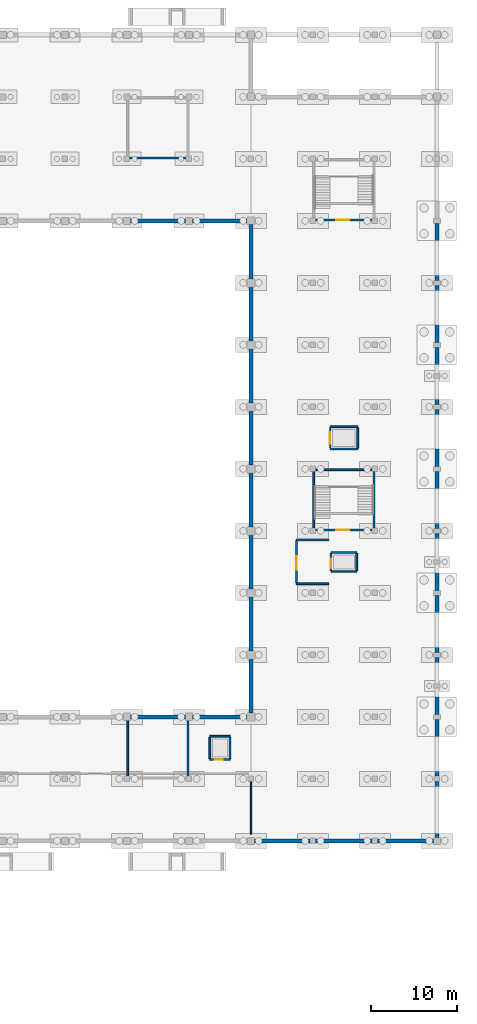
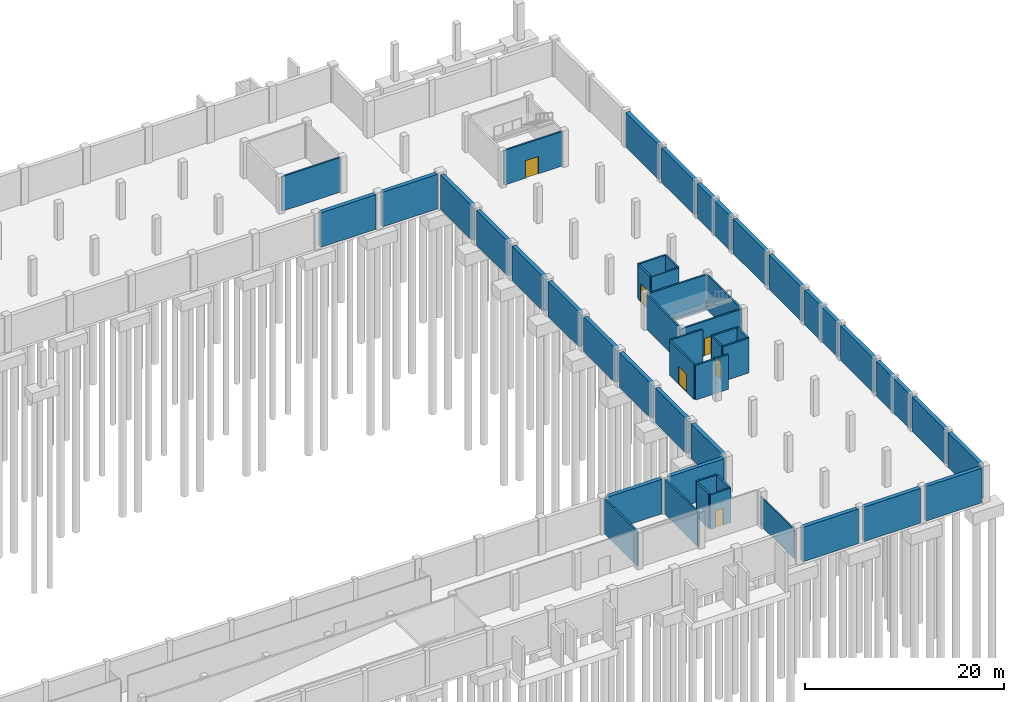
# One storey, part 14 of 18: 49 walls, 6 doors, 6 openings.
"""IFC4 building model written with IfcOpenShell, lengths in metres."""

import ifcopenshell
import ifcopenshell.guid

model = None  # the IFC model being written
_history = None  # IfcOwnerHistory: only IFC2X3 demands one
_inside = {}  # id of a spatial element -> (the spatial element, [elements in it])
_under = {}  # id of a project, library or spatial element -> (it, [spatial elements below it])
_declared = {}  # id of a project -> (the project, [libraries it declares])
_typed = {}  # id of a type object -> (the type object, [elements of that type])
_made_of = {}  # id of a material, layer set ... -> (it, [elements and type objects made of it])


def new_model(schema):
    """Start an empty IFC model of exactly this schema.

    Asked for "IFC4X3", IfcOpenShell would pick the latest addendum, in which some entities
    have other attributes; the version numbers below select the first issue.
    IFC2X3 requires an IfcOwnerHistory on every rooted entity: one is made here for all.
    """
    global model, _history
    if schema == "IFC4X3":
        model = ifcopenshell.file(schema_version=(4, 3, 0, 0))
    else:
        model = ifcopenshell.file(schema=schema)
    _inside.clear()
    _under.clear()
    _declared.clear()
    _typed.clear()
    _made_of.clear()
    _history = None
    if model.schema == "IFC2X3":
        org = make("IfcOrganization", Name="unknown")
        user = make(
            "IfcPersonAndOrganization",
            ThePerson=make("IfcPerson", FamilyName="unknown"),
            TheOrganization=org,
        )
        app = make(
            "IfcApplication",
            ApplicationDeveloper=org,
            Version="unknown",
            ApplicationFullName="unknown",
            ApplicationIdentifier="unknown",
        )
        _history = make(
            "IfcOwnerHistory",
            OwningUser=user,
            OwningApplication=app,
            ChangeAction="ADDED",
            CreationDate=0,
        )
    return model


def make(cls, **values):
    """One entity of the class cls with the attributes given. An attribute that is None is left unset."""
    return model.create_entity(
        cls, **{name: value for name, value in values.items() if value is not None}
    )


def rooted(cls, **values):
    """An entity with a GlobalId (a new one), such as an element, a storey or a relation."""
    return make(cls, GlobalId=ifcopenshell.guid.new(), OwnerHistory=_history, **values)


def si_unit(unit_type, name, prefix=None):
    """IfcSIUnit, for example si_unit("LENGTHUNIT", "METRE", prefix="MILLI")."""
    return make("IfcSIUnit", UnitType=unit_type, Prefix=prefix, Name=name)


def assignment(units):
    """IfcUnitAssignment: the units of a project."""
    return None if units is None else make("IfcUnitAssignment", Units=units)


def point(xyz):
    """IfcCartesianPoint."""
    return None if xyz is None else make("IfcCartesianPoint", Coordinates=xyz)


def direction(xyz):
    """IfcDirection."""
    return None if xyz is None else make("IfcDirection", DirectionRatios=xyz)


def frame(location, z_axis=None, x_axis=None):
    """IfcAxis2Placement3D, a coordinate frame: its origin and axes. An axis left out is left unset."""
    return make(
        "IfcAxis2Placement3D",
        Location=point(location),
        Axis=direction(z_axis),
        RefDirection=direction(x_axis),
    )


def frame_2d(location, x_axis=None):
    """IfcAxis2Placement2D, a coordinate frame in the plane: its origin and x axis."""
    return make(
        "IfcAxis2Placement2D", Location=point(location), RefDirection=direction(x_axis)
    )


def origin():
    """The frame at (0, 0, 0) with its axes left unset."""
    return frame((0.0, 0.0, 0.0))


def place(relative_to, where):
    """IfcLocalPlacement: puts the frame where relative to a parent placement (None: the world)."""
    return make(
        "IfcLocalPlacement", PlacementRelTo=relative_to, RelativePlacement=where
    )


def context(
    kind, dimensions, precision=None, world=None, true_north=None, identifier=None
):
    """IfcGeometricRepresentationContext, for example the 3D "Model" context."""
    return make(
        "IfcGeometricRepresentationContext",
        ContextIdentifier=identifier,
        ContextType=kind,
        CoordinateSpaceDimension=dimensions,
        Precision=precision,
        WorldCoordinateSystem=world,
        TrueNorth=true_north,
    )


def subcontext(parent, identifier, kind, view, scale=None):
    """IfcGeometricRepresentationSubContext, for example "Body" below "Model"."""
    return make(
        "IfcGeometricRepresentationSubContext",
        ContextIdentifier=identifier,
        ContextType=kind,
        ParentContext=parent,
        TargetScale=scale,
        TargetView=view,
    )


def project(units=None, contexts=None):
    """IfcProject with its units and contexts."""
    return rooted(
        "IfcProject",
        Name="project",
        RepresentationContexts=contexts,
        UnitsInContext=assignment(units),
    )


def spatial(cls, under=None, at=None, **own):
    """A site, building, storey or space (cls), placed at a placement, below another one or the project."""
    s = rooted(cls, ObjectPlacement=at, **own)
    if under is not None:
        _under.setdefault(under.id(), (under, []))[1].append(s)
    return s


def profile(cls, at=None, kind="AREA", **sizes):
    """A parametric profile (cls). Its sizes go by their IFC names, for example OverallWidth=200.0."""
    return make(cls, ProfileType=kind, Position=at, **sizes)


def rectangle(**sizes):
    """IfcRectangleProfileDef."""
    return profile("IfcRectangleProfileDef", **sizes)


def extrude(swept, where, along, depth):
    """IfcExtrudedAreaSolid: the profile swept, set in the frame where, extruded along a direction by depth."""
    return make(
        "IfcExtrudedAreaSolid",
        SweptArea=swept,
        Position=where,
        ExtrudedDirection=direction(along),
        Depth=depth,
    )


def shape(context_of_items, identifier, shape_type, items):
    """IfcShapeRepresentation: the items that make up one representation, for example the "Body"."""
    return make(
        "IfcShapeRepresentation",
        ContextOfItems=context_of_items,
        RepresentationIdentifier=identifier,
        RepresentationType=shape_type,
        Items=items,
    )


def material(Name=None, Category=None):
    """IfcMaterial."""
    return make("IfcMaterial", Name=Name, Category=Category)


def layer(
    of_material, thickness, ventilated=None, Name=None, Category=None, Priority=None
):
    """IfcMaterialLayer: one layer of a wall or slab, of a material (None: an air gap)."""
    return make(
        "IfcMaterialLayer",
        Material=of_material,
        LayerThickness=thickness,
        IsVentilated=ventilated,
        Name=Name,
        Category=Category,
        Priority=Priority,
    )


def layer_set(layers, Name=None):
    """IfcMaterialLayerSet."""
    return make("IfcMaterialLayerSet", MaterialLayers=layers, LayerSetName=Name)


def made_of(thing, what):
    """Note that an element or type object is made of a material, layer set ...; save() writes the relation."""
    if what is not None:
        _made_of.setdefault(what.id(), (what, []))[1].append(thing)
    return thing


def type_object(cls, material=None, **own):
    """A type object (cls), such as IfcWallType, which elements share."""
    return made_of(rooted(cls, **own), material)


def element(
    cls,
    number,
    at=None,
    inside=None,
    cuts=None,
    type_object=None,
    material=None,
    context=None,
    identifier="Body",
    shape_type=None,
    held_by="IfcProductDefinitionShape",
    body=None,
    shapes=None,
    **own,
):
    """One element of the class cls, such as IfcWall. Its Tag is "e" and its number.

    at: its placement. inside: the storey or other place that contains it. cuts: it is an
    opening in that element (IfcRelVoidsElement). A single representation is given by context,
    identifier, shape_type and body (its items); several are given by shapes. held_by: the class
    of the entity that holds the representations. save() writes the other relations.
    """
    e = rooted(cls, Tag="e%d" % number, ObjectPlacement=at, **own)
    if body is not None:
        shapes = [shape(context, identifier, shape_type, body)]
    if shapes is not None:
        e.Representation = make(held_by, Representations=shapes)
    if inside is not None:
        _inside.setdefault(inside.id(), (inside, []))[1].append(e)
    if cuts is not None:
        rooted(
            "IfcRelVoidsElement", RelatingBuildingElement=cuts, RelatedOpeningElement=e
        )
    if type_object is not None:
        _typed.setdefault(type_object.id(), (type_object, []))[1].append(e)
    return made_of(e, material)


def fill(opening, filler):
    """IfcRelFillsElement: the door or window that sits in an opening."""
    return rooted(
        "IfcRelFillsElement",
        RelatingOpeningElement=opening,
        RelatedBuildingElement=filler,
    )


def aggregate(whole, parts):
    """IfcRelAggregates: a whole, such as a stair, and the parts it consists of."""
    return rooted("IfcRelAggregates", RelatingObject=whole, RelatedObjects=parts)


def save(model, path):
    """Write the relations noted so far, then the file.

    IfcRelAggregates (storeys below a building ...), IfcRelContainedInSpatialStructure (elements
    in a storey), IfcRelDefinesByType, IfcRelAssociatesMaterial and IfcRelDeclares: one each for
    every whole, place, type object, material and project.
    """
    for whole, parts in _under.values():
        aggregate(whole, parts)
    for where, things in _inside.values():
        rooted(
            "IfcRelContainedInSpatialStructure",
            RelatedElements=things,
            RelatingStructure=where,
        )
    for kind, things in _typed.values():
        rooted("IfcRelDefinesByType", RelatedObjects=things, RelatingType=kind)
    for what, things in _made_of.values():
        rooted("IfcRelAssociatesMaterial", RelatedObjects=things, RelatingMaterial=what)
    for by, libraries in _declared.values():
        rooted("IfcRelDeclares", RelatingContext=by, RelatedDefinitions=libraries)
    model.write(path)


model = new_model("IFC4")

# Units and contexts
model_context = context("Model", 3, precision=1e-05, world=origin(), true_north=direction((0.0, 1.0)))
body_context = subcontext(model_context, "Body", "Model", "MODEL_VIEW")
ifc_project = project(units=[si_unit("LENGTHUNIT", "METRE"), si_unit("AREAUNIT", "SQUARE_METRE"), si_unit("VOLUMEUNIT", "CUBIC_METRE"), si_unit("PLANEANGLEUNIT", "RADIAN"), si_unit("MASSUNIT", "GRAM", prefix="KILO")], contexts=[model_context])

# Site, building, storey
site_placement = place(None, origin())
site = spatial("IfcSite", under=ifc_project, at=site_placement, CompositionType="ELEMENT")
building_placement = place(site_placement, origin())
building = spatial("IfcBuilding", under=site, at=building_placement, Name="Kangsadwip Square Police Headquarters", CompositionType="ELEMENT")
storey_placement = place(building_placement, frame((0.0, 0.0, -4.5)))
storey = spatial("IfcBuildingStorey", under=building, at=storey_placement, Name="B1", CompositionType="ELEMENT", Elevation=-4.5)

# Walls
ifc_material_1 = material(Name="Concrete M40 (40 MPa)", Category="concrete")
ifc_layer_1 = layer(ifc_material_1, 0.449951171875)
ifc_layer_set_1 = layer_set([ifc_layer_1], Name="Concrete M40 (40 MPa)")
wall_type_1 = type_object("IfcWallType", Name="BasementRetainingWall450", PredefinedType="USERDEFINED", material=ifc_layer_set_1)
wall_1_placement = place(storey_placement, frame((144.419921875, 21.60009765625, 0.0), z_axis=(0.0, 0.0, 1.0), x_axis=(1.0, 0.0, 0.0)))
element("IfcWall", 1, at=wall_1_placement, inside=storey, type_object=wall_type_1, Name="Exterior Wall WE-B1-021", ObjectType="RETAININGWALL", PredefinedType="USERDEFINED", context=body_context, shape_type="SweptSolid", body=[
    extrude(rectangle(XDim=6.4599609375, YDim=0.449951171875, at=frame_2d((3.22998046875, 0.0))), origin(), (0.0, 0.0, 1.0), 4.25),
])
wall_2_placement = place(storey_placement, frame((151.52001953125, 21.60009765625, 0.0), z_axis=(0.0, 0.0, 1.0), x_axis=(1.0, 0.0, 0.0)))
element("IfcWall", 2, at=wall_2_placement, inside=storey, type_object=wall_type_1, Name="Exterior Wall WE-B1-022", ObjectType="RETAININGWALL", PredefinedType="USERDEFINED", context=body_context, shape_type="SweptSolid", body=[
    extrude(rectangle(XDim=6.56005859375, YDim=0.449951171875, at=frame_2d((3.280029296875, 0.0))), origin(), (0.0, 0.0, 1.0), 4.25),
])
wall_3_placement = place(storey_placement, frame((158.719970703125, 21.60009765625, 0.0), z_axis=(0.0, 0.0, 1.0), x_axis=(1.0, 0.0, 0.0)))
element("IfcWall", 3, at=wall_3_placement, inside=storey, type_object=wall_type_1, Name="Exterior Wall WE-B1-023", ObjectType="RETAININGWALL", PredefinedType="USERDEFINED", context=body_context, shape_type="SweptSolid", body=[
    extrude(rectangle(XDim=6.4599609375, YDim=0.449951171875, at=frame_2d((3.22998046875, 0.0))), origin(), (0.0, 0.0, 1.0), 4.25),
])
wall_4_placement = place(storey_placement, frame((130.02001953125, 36.0, 0.0), z_axis=(0.0, 0.0, 1.0), x_axis=(1.0, 0.0, 0.0)))
element("IfcWall", 4, at=wall_4_placement, inside=storey, type_object=wall_type_1, Name="Exterior Wall WE-B1-039", ObjectType="RETAININGWALL", PredefinedType="USERDEFINED", context=body_context, shape_type="SweptSolid", body=[
    extrude(rectangle(XDim=6.35986328125, YDim=0.449951171875, at=frame_2d((3.179931640625, 0.0))), origin(), (0.0, 0.0, 1.0), 4.25),
])
wall_5_placement = place(storey_placement, frame((137.219970703125, 36.0, 0.0), z_axis=(0.0, 0.0, 1.0), x_axis=(1.0, 0.0, 0.0)))
element("IfcWall", 5, at=wall_5_placement, inside=storey, type_object=wall_type_1, Name="Exterior Wall WE-B1-040", ObjectType="RETAININGWALL", PredefinedType="USERDEFINED", context=body_context, shape_type="SweptSolid", body=[
    extrude(rectangle(XDim=6.3349609375, YDim=0.449951171875, at=frame_2d((3.16748046875, 0.0))), origin(), (0.0, 0.0, 1.0), 4.25),
])
wall_6_placement = place(storey_placement, frame((129.9951171875, 93.60009765625, 0.0), z_axis=(0.0, 0.0, 1.0), x_axis=(1.0, 0.0, 0.0)))
element("IfcWall", 6, at=wall_6_placement, inside=storey, type_object=wall_type_1, Name="Exterior Wall WE-B1-056", ObjectType="RETAININGWALL", PredefinedType="USERDEFINED", context=body_context, shape_type="SweptSolid", body=[
    extrude(rectangle(XDim=6.409912109375, YDim=0.449951171875, at=frame_2d((3.205078125, 0.0))), origin(), (0.0, 0.0, 1.0), 4.25),
])
wall_7_placement = place(storey_placement, frame((137.195068359375, 93.60009765625, 0.0), z_axis=(0.0, 0.0, 1.0), x_axis=(1.0, 0.0, 0.0)))
element("IfcWall", 7, at=wall_7_placement, inside=storey, type_object=wall_type_1, Name="Exterior Wall WE-B1-057", ObjectType="RETAININGWALL", PredefinedType="USERDEFINED", context=body_context, shape_type="SweptSolid", body=[
    extrude(rectangle(XDim=6.35986328125, YDim=0.449951171875, at=frame_2d((3.179931640625, 0.0))), origin(), (0.0, 0.0, 1.0), 4.25),
])
wall_8_placement = place(storey_placement, frame((144.0, 36.445068359375, 0.0), z_axis=(0.0, 0.0, 1.0), x_axis=(0.0, 1.0, 0.0)))
element("IfcWall", 8, at=wall_8_placement, inside=storey, type_object=wall_type_1, Name="Exterior Wall WE-B1-108", ObjectType="RETAININGWALL", PredefinedType="USERDEFINED", context=body_context, shape_type="SweptSolid", body=[
    extrude(rectangle(XDim=6.309814453125, YDim=0.449951171875, at=frame_2d((3.15478515625, 0.0))), origin(), (0.0, 0.0, 1.0), 4.25),
])
for number, where, z_axis, x_axis, name in (
    (9, (144.0, 43.64501953125, 0.0), (0.0, 0.0, 1.0), (0.0, 1.0, 0.0), "Exterior Wall WE-B1-109"),
    (10, (144.0, 50.844970703125, 0.0), (0.0, 0.0, 1.0), (0.0, 1.0, 0.0), "Exterior Wall WE-B1-110"),
    (11, (144.0, 58.044921875, 0.0), (0.0, 0.0, 1.0), (0.0, 1.0, 0.0), "Exterior Wall WE-B1-111"),
):
    element("IfcWall", number, at=place(storey_placement, frame(where, z_axis=z_axis, x_axis=x_axis)), inside=storey, type_object=wall_type_1, Name=name, ObjectType="RETAININGWALL", PredefinedType="USERDEFINED", context=body_context, shape_type="SweptSolid", body=[
        extrude(rectangle(XDim=6.31005859375, YDim=0.449951171875, at=frame_2d((3.155029296875, 0.0))), origin(), (0.0, 0.0, 1.0), 4.25),
    ])
for number, where, z_axis, x_axis, name in (
    (12, (144.0, 65.2451171875, 0.0), (0.0, 0.0, 1.0), (0.0, 1.0, 0.0), "Exterior Wall WE-B1-112"),
    (13, (144.0, 72.445068359375, 0.0), (0.0, 0.0, 1.0), (0.0, 1.0, 0.0), "Exterior Wall WE-B1-113"),
):
    element("IfcWall", number, at=place(storey_placement, frame(where, z_axis=z_axis, x_axis=x_axis)), inside=storey, type_object=wall_type_1, Name=name, ObjectType="RETAININGWALL", PredefinedType="USERDEFINED", context=body_context, shape_type="SweptSolid", body=[
        extrude(rectangle(XDim=6.309814453125, YDim=0.449951171875, at=frame_2d((3.15478515625, 0.0))), origin(), (0.0, 0.0, 1.0), 4.25),
    ])
for number, where, z_axis, x_axis, name in (
    (14, (144.0, 79.64501953125, 0.0), (0.0, 0.0, 1.0), (0.0, 1.0, 0.0), "Exterior Wall WE-B1-114"),
    (15, (144.0, 86.844970703125, 0.0), (0.0, 0.0, 1.0), (0.0, 1.0, 0.0), "Exterior Wall WE-B1-115"),
):
    element("IfcWall", number, at=place(storey_placement, frame(where, z_axis=z_axis, x_axis=x_axis)), inside=storey, type_object=wall_type_1, Name=name, ObjectType="RETAININGWALL", PredefinedType="USERDEFINED", context=body_context, shape_type="SweptSolid", body=[
        extrude(rectangle(XDim=6.31005859375, YDim=0.449951171875, at=frame_2d((3.155029296875, 0.0))), origin(), (0.0, 0.0, 1.0), 4.25),
    ])
wall_9_placement = place(storey_placement, frame((165.60009765625, 22.02001953125, 0.0), z_axis=(0.0, 0.0, 1.0), x_axis=(0.0, 1.0, 0.0)))
element("IfcWall", 16, at=wall_9_placement, inside=storey, type_object=wall_type_1, Name="Exterior Wall WE-B1-117", ObjectType="RETAININGWALL", PredefinedType="USERDEFINED", context=body_context, shape_type="SweptSolid", body=[
    extrude(rectangle(XDim=6.4599609375, YDim=0.449951171875, at=frame_2d((3.22998046875, 0.0))), origin(), (0.0, 0.0, 1.0), 4.25),
])
wall_10_placement = place(storey_placement, frame((165.60009765625, 29.1201171875, 0.0), z_axis=(0.0, 0.0, 1.0), x_axis=(0.0, 1.0, 0.0)))
element("IfcWall", 17, at=wall_10_placement, inside=storey, type_object=wall_type_1, Name="Exterior Wall WE-B1-118", ObjectType="RETAININGWALL", PredefinedType="USERDEFINED", context=body_context, shape_type="SweptSolid", body=[
    extrude(rectangle(XDim=6.5849609375, YDim=0.449951171875, at=frame_2d((3.29248046875, 0.0))), origin(), (0.0, 0.0, 1.0), 4.25),
])
wall_11_placement = place(storey_placement, frame((165.60009765625, 36.294921875, 0.0), z_axis=(0.0, 0.0, 1.0), x_axis=(0.0, 1.0, 0.0)))
element("IfcWall", 18, at=wall_11_placement, inside=storey, type_object=wall_type_1, Name="Exterior Wall WE-B1-119", ObjectType="RETAININGWALL", PredefinedType="USERDEFINED", context=body_context, shape_type="SweptSolid", body=[
    extrude(rectangle(XDim=6.610107421875, YDim=0.449951171875, at=frame_2d((3.30517578125, 0.0))), origin(), (0.0, 0.0, 1.0), 4.25),
])
for number, where, z_axis, x_axis, name in (
    (19, (165.60009765625, 43.4951171875, 0.0), (0.0, 0.0, 1.0), (0.0, 1.0, 0.0), "Exterior Wall WE-B1-120"),
    (20, (165.60009765625, 50.695068359375, 0.0), (0.0, 0.0, 1.0), (0.0, 1.0, 0.0), "Exterior Wall WE-B1-121"),
    (21, (165.60009765625, 57.89501953125, 0.0), (0.0, 0.0, 1.0), (0.0, 1.0, 0.0), "Exterior Wall WE-B1-122"),
):
    element("IfcWall", number, at=place(storey_placement, frame(where, z_axis=z_axis, x_axis=x_axis)), inside=storey, type_object=wall_type_1, Name=name, ObjectType="RETAININGWALL", PredefinedType="USERDEFINED", context=body_context, shape_type="SweptSolid", body=[
        extrude(rectangle(XDim=6.60986328125, YDim=0.449951171875, at=frame_2d((3.304931640625, 0.0))), origin(), (0.0, 0.0, 1.0), 4.25),
    ])
for number, where, z_axis, x_axis, name in (
    (22, (165.60009765625, 65.094970703125, 0.0), (0.0, 0.0, 1.0), (0.0, 1.0, 0.0), "Exterior Wall WE-B1-123"),
    (23, (165.60009765625, 72.294921875, 0.0), (0.0, 0.0, 1.0), (0.0, 1.0, 0.0), "Exterior Wall WE-B1-124"),
):
    element("IfcWall", number, at=place(storey_placement, frame(where, z_axis=z_axis, x_axis=x_axis)), inside=storey, type_object=wall_type_1, Name=name, ObjectType="RETAININGWALL", PredefinedType="USERDEFINED", context=body_context, shape_type="SweptSolid", body=[
        extrude(rectangle(XDim=6.610107421875, YDim=0.449951171875, at=frame_2d((3.30517578125, 0.0))), origin(), (0.0, 0.0, 1.0), 4.25),
    ])
for number, where, z_axis, x_axis, name in (
    (24, (165.60009765625, 79.4951171875, 0.0), (0.0, 0.0, 1.0), (0.0, 1.0, 0.0), "Exterior Wall WE-B1-125"),
    (25, (165.60009765625, 86.695068359375, 0.0), (0.0, 0.0, 1.0), (0.0, 1.0, 0.0), "Exterior Wall WE-B1-126"),
):
    element("IfcWall", number, at=place(storey_placement, frame(where, z_axis=z_axis, x_axis=x_axis)), inside=storey, type_object=wall_type_1, Name=name, ObjectType="RETAININGWALL", PredefinedType="USERDEFINED", context=body_context, shape_type="SweptSolid", body=[
        extrude(rectangle(XDim=6.60986328125, YDim=0.449951171875, at=frame_2d((3.304931640625, 0.0))), origin(), (0.0, 0.0, 1.0), 4.25),
    ])
ifc_material_2 = material(Name="Autoclaved aerated concrete blockwork masonry", Category="masonry")
ifc_layer_2 = layer(ifc_material_2, 0.14990234375)
ifc_layer_set_2 = layer_set([ifc_layer_2], Name="Autoclaved aerated concrete blockwork masonry")
wall_type_2 = type_object("IfcWallType", Name="BlockPartition150", PredefinedType="PARTITIONING", material=ifc_layer_set_2)
wall_12_placement = place(storey_placement, frame((144.0, 22.35009765625, 0.0), z_axis=(0.0, 0.0, 1.0), x_axis=(0.0, 1.0, 0.0)))
element("IfcWall", 26, at=wall_12_placement, inside=storey, type_object=wall_type_2, Name="Interior Wall WI-B1-0658", PredefinedType="PARTITIONING", context=body_context, shape_type="SweptSolid", body=[
    extrude(rectangle(XDim=6.699951171875, YDim=0.14990234375, at=frame_2d((3.35009765625, 0.0))), origin(), (0.0, 0.0, 1.0), 3.590087890625),
])

# Wall, opening, door
ifc_material_3 = material(Name="Concrete M40 (40 MPa)", Category="concrete")
ifc_layer_3 = layer(ifc_material_3, 0.199951171875)
ifc_layer_set_3 = layer_set([ifc_layer_3], Name="Concrete M40 (40 MPa)")
wall_type_3 = type_object("IfcWallType", Name="CoreShearWall200", PredefinedType="SHEAR", material=ifc_layer_set_3)
wall_13_placement = place(storey_placement, frame((151.39990234375, 57.699951171875, 0.0), z_axis=(0.0, 0.0, 1.0), x_axis=(1.0, 0.0, 0.0)))
wall_13 = element("IfcWall", 27, at=wall_13_placement, inside=storey, type_object=wall_type_3, Name="Interior Wall WI-B1-0089", PredefinedType="SHEAR", context=body_context, shape_type="SweptSolid", body=[
    extrude(rectangle(XDim=6.800048828125, YDim=0.199951171875, at=frame_2d((3.39990234375, 0.0))), origin(), (0.0, 0.0, 1.0), 4.25),
])
opening_1_placement = place(wall_13_placement, frame((2.52392578125, 0.0, 0.0)))
opening_1 = element("IfcOpeningElement", 28, at=opening_1_placement, cuts=wall_13, Name="Opening FD-15", PredefinedType="OPENING", context=body_context, shape_type="SweptSolid", body=[
    extrude(rectangle(XDim=1.5, YDim=2.14990234375, at=frame_2d((0.75, 1.074951171875))), frame((0.0, 0.10986328125, 0.0), z_axis=(0.0, -1.0, 0.0), x_axis=(1.0, 0.0, 0.0)), (0.0, 0.0, 1.0), 0.219970703125),
])
ifc_material_4 = material(Name="Insulated galvanized steel fire-rated door assembly", Category="steel")
door_type_1 = type_object("IfcDoorType", Name="StairFireDoor1500x2150", OperationType="DOUBLE_DOOR_SINGLE_SWING", PredefinedType="DOOR", material=ifc_material_4)
door_1_placement = place(opening_1_placement, origin())
door_1 = element("IfcDoor", 29, at=door_1_placement, inside=storey, type_object=door_type_1, Name="Interior Door ID-B1-0019", OperationType="DOUBLE_DOOR_SINGLE_SWING", OverallHeight=2.14990234375, OverallWidth=1.5, PredefinedType="DOOR", context=body_context, shape_type="SweptSolid", body=[
    extrude(rectangle(XDim=1.5, YDim=2.14990234375, at=frame_2d((0.75, 1.074951171875))), frame((0.0, 0.02490234375, 0.0), z_axis=(0.0, -1.0, 0.0), x_axis=(1.0, 0.0, 0.0)), (0.0, 0.0, 1.0), 0.050048828125),
])
fill(opening_1, door_1)

# Walls
for number, where, z_axis, x_axis, name in (
    (30, (151.39990234375, 64.699951171875, 0.0), (0.0, 0.0, 1.0), (1.0, 0.0, 0.0), "Interior Wall WI-B1-0090"),
    (31, (151.300048828125, 57.800048828125, 0.0), (0.0, 0.0, 1.0), (0.0, 1.0, 0.0), "Interior Wall WI-B1-0091"),
    (32, (158.300048828125, 57.800048828125, 0.0), (0.0, 0.0, 1.0), (0.0, 1.0, 0.0), "Interior Wall WI-B1-0092"),
):
    element("IfcWall", number, at=place(storey_placement, frame(where, z_axis=z_axis, x_axis=x_axis)), inside=storey, type_object=wall_type_3, Name=name, PredefinedType="SHEAR", context=body_context, shape_type="SweptSolid", body=[
        extrude(rectangle(XDim=6.800048828125, YDim=0.199951171875, at=frame_2d((3.39990234375, 0.0))), origin(), (0.0, 0.0, 1.0), 4.25),
    ])

# Wall, opening, door
wall_14_placement = place(storey_placement, frame((151.39990234375, 93.699951171875, 0.0), z_axis=(0.0, 0.0, 1.0), x_axis=(1.0, 0.0, 0.0)))
wall_14 = element("IfcWall", 33, at=wall_14_placement, inside=storey, type_object=wall_type_3, Name="Interior Wall WI-B1-0125", PredefinedType="SHEAR", context=body_context, shape_type="SweptSolid", body=[
    extrude(rectangle(XDim=6.800048828125, YDim=0.199951171875, at=frame_2d((3.39990234375, 0.0))), origin(), (0.0, 0.0, 1.0), 4.25),
])
opening_2_placement = place(wall_14_placement, frame((2.52392578125, 0.0, 0.0)))
opening_2 = element("IfcOpeningElement", 34, at=opening_2_placement, cuts=wall_14, Name="Opening FD-15", PredefinedType="OPENING", context=body_context, shape_type="SweptSolid", body=[
    extrude(rectangle(XDim=1.5, YDim=2.14990234375, at=frame_2d((0.75, 1.074951171875))), frame((0.0, 0.10986328125, 0.0), z_axis=(0.0, -1.0, 0.0), x_axis=(1.0, 0.0, 0.0)), (0.0, 0.0, 1.0), 0.219970703125),
])
door_2_placement = place(opening_2_placement, origin())
door_2 = element("IfcDoor", 35, at=door_2_placement, inside=storey, type_object=door_type_1, Name="Interior Door ID-B1-0028", OperationType="DOUBLE_DOOR_SINGLE_SWING", OverallHeight=2.14990234375, OverallWidth=1.5, PredefinedType="DOOR", context=body_context, shape_type="SweptSolid", body=[
    extrude(rectangle(XDim=1.5, YDim=2.14990234375, at=frame_2d((0.75, 1.074951171875))), frame((0.0, 0.02490234375, 0.0), z_axis=(0.0, -1.0, 0.0), x_axis=(1.0, 0.0, 0.0)), (0.0, 0.0, 1.0), 0.050048828125),
])
fill(opening_2, door_2)

# Walls
for number, where, z_axis, x_axis, name in (
    (36, (129.800048828125, 100.89990234375, 0.0), (0.0, 0.0, 1.0), (1.0, 0.0, 0.0), "Interior Wall WI-B1-0153"),
    (37, (129.699951171875, 29.0, 0.0), (0.0, 0.0, 1.0), (0.0, 1.0, 0.0), "Interior Wall WI-B1-0178"),
    (38, (136.699951171875, 29.0, 0.0), (0.0, 0.0, 1.0), (0.0, 1.0, 0.0), "Interior Wall WI-B1-0179"),
):
    element("IfcWall", number, at=place(storey_placement, frame(where, z_axis=z_axis, x_axis=x_axis)), inside=storey, type_object=wall_type_3, Name=name, PredefinedType="SHEAR", context=body_context, shape_type="SweptSolid", body=[
        extrude(rectangle(XDim=6.800048828125, YDim=0.199951171875, at=frame_2d((3.39990234375, 0.0))), origin(), (0.0, 0.0, 1.0), 4.25),
    ])
for number, where, z_axis, x_axis, name in (
    (39, (153.300048828125, 52.89990234375, 0.0), (0.0, 0.0, 1.0), (1.0, 0.0, 0.0), "Interior Wall WI-B1-0311"),
    (40, (153.300048828125, 55.10009765625, 0.0), (0.0, 0.0, 1.0), (1.0, 0.0, 0.0), "Interior Wall WI-B1-0312"),
):
    element("IfcWall", number, at=place(storey_placement, frame(where, z_axis=z_axis, x_axis=x_axis)), inside=storey, type_object=wall_type_3, Name=name, PredefinedType="SHEAR", context=body_context, shape_type="SweptSolid", body=[
        extrude(rectangle(XDim=3.0, YDim=0.199951171875, at=frame_2d((1.5, 0.0))), origin(), (0.0, 0.0, 1.0), 4.25),
    ])

# Wall, opening, door
wall_15_placement = place(storey_placement, frame((153.300048828125, 53.0, 0.0), z_axis=(0.0, 0.0, 1.0), x_axis=(0.0, 1.0, 0.0)))
wall_15 = element("IfcWall", 41, at=wall_15_placement, inside=storey, type_object=wall_type_3, Name="Interior Wall WI-B1-0313", PredefinedType="SHEAR", context=body_context, shape_type="SweptSolid", body=[
    extrude(rectangle(XDim=2.0, YDim=0.199951171875, at=frame_2d((1.0, 0.0))), origin(), (0.0, 0.0, 1.0), 4.25),
])
opening_3_placement = place(wall_15_placement, frame((0.25, 0.0, 0.0)))
opening_3 = element("IfcOpeningElement", 42, at=opening_3_placement, cuts=wall_15, Name="Opening LD-019", PredefinedType="OPENING", context=body_context, shape_type="SweptSolid", body=[
    extrude(rectangle(XDim=1.10009765625, YDim=2.14990234375, at=frame_2d((0.550048828125, 1.074951171875))), frame((0.0, 0.10986328125, 0.0), z_axis=(0.0, -1.0, 0.0), x_axis=(1.0, 0.0, 0.0)), (0.0, 0.0, 1.0), 0.219970703125),
])
ifc_material_5 = material(Name="Brushed stainless steel automatic sliding lift landing door", Category="steel")
door_type_2 = type_object("IfcDoorType", Name="LiftLandingDoor1100x2150", OperationType="DOUBLE_DOOR_SLIDING", PredefinedType="DOOR", material=ifc_material_5)
door_3_placement = place(opening_3_placement, origin())
door_3 = element("IfcDoor", 43, at=door_3_placement, inside=storey, type_object=door_type_2, Name="Interior Door LD-019", OperationType="DOUBLE_DOOR_SLIDING", OverallHeight=2.14990234375, OverallWidth=1.10009765625, PredefinedType="DOOR", context=body_context, shape_type="SweptSolid", body=[
    extrude(rectangle(XDim=1.10009765625, YDim=2.14990234375, at=frame_2d((0.550048828125, 1.074951171875))), frame((0.0, 0.02490234375, 0.0), z_axis=(0.0, -1.0, 0.0), x_axis=(1.0, 0.0, 0.0)), (0.0, 0.0, 1.0), 0.050048828125),
])
fill(opening_3, door_3)

# Walls
wall_16_placement = place(storey_placement, frame((156.300048828125, 53.0, 0.0), z_axis=(0.0, 0.0, 1.0), x_axis=(0.0, 1.0, 0.0)))
element("IfcWall", 44, at=wall_16_placement, inside=storey, type_object=wall_type_3, Name="Interior Wall WI-B1-0314", PredefinedType="SHEAR", context=body_context, shape_type="SweptSolid", body=[
    extrude(rectangle(XDim=2.0, YDim=0.199951171875, at=frame_2d((1.0, 0.0))), origin(), (0.0, 0.0, 1.0), 4.25),
])
for number, where, z_axis, x_axis, name in (
    (45, (153.199951171875, 67.10009765625, 0.0), (0.0, 0.0, 1.0), (1.0, 0.0, 0.0), "Interior Wall WI-B1-0427"),
    (46, (153.199951171875, 69.699951171875, 0.0), (0.0, 0.0, 1.0), (1.0, 0.0, 0.0), "Interior Wall WI-B1-0428"),
):
    element("IfcWall", number, at=place(storey_placement, frame(where, z_axis=z_axis, x_axis=x_axis)), inside=storey, type_object=wall_type_3, Name=name, PredefinedType="SHEAR", context=body_context, shape_type="SweptSolid", body=[
        extrude(rectangle(XDim=3.199951171875, YDim=0.199951171875, at=frame_2d((1.60009765625, 0.0))), origin(), (0.0, 0.0, 1.0), 4.25),
    ])

# Wall, opening, door
wall_17_placement = place(storey_placement, frame((153.199951171875, 67.199951171875, 0.0), z_axis=(0.0, 0.0, 1.0), x_axis=(0.0, 1.0, 0.0)))
wall_17 = element("IfcWall", 47, at=wall_17_placement, inside=storey, type_object=wall_type_3, Name="Interior Wall WI-B1-0429", PredefinedType="SHEAR", context=body_context, shape_type="SweptSolid", body=[
    extrude(rectangle(XDim=2.400146484375, YDim=0.199951171875, at=frame_2d((1.2001953125, 0.0))), origin(), (0.0, 0.0, 1.0), 4.25),
])
opening_4_placement = place(wall_17_placement, frame((0.52490234375, 0.0, 0.0)))
opening_4 = element("IfcOpeningElement", 48, at=opening_4_placement, cuts=wall_17, Name="Opening LD-045", PredefinedType="OPENING", context=body_context, shape_type="SweptSolid", body=[
    extrude(rectangle(XDim=1.35009765625, YDim=2.199951171875, at=frame_2d((0.675048828125, 1.10009765625))), frame((0.0, 0.10986328125, 0.0), z_axis=(0.0, -1.0, 0.0), x_axis=(1.0, 0.0, 0.0)), (0.0, 0.0, 1.0), 0.219970703125),
])
ifc_material_6 = material(Name="Brushed stainless steel automatic sliding lift landing door", Category="steel")
door_type_3 = type_object("IfcDoorType", Name="LiftLandingDoor1350x2200", OperationType="DOUBLE_DOOR_SLIDING", PredefinedType="DOOR", material=ifc_material_6)
door_4_placement = place(opening_4_placement, origin())
door_4 = element("IfcDoor", 49, at=door_4_placement, inside=storey, type_object=door_type_3, Name="Interior Door LD-045", OperationType="DOUBLE_DOOR_SLIDING", OverallHeight=2.199951171875, OverallWidth=1.35009765625, PredefinedType="DOOR", context=body_context, shape_type="SweptSolid", body=[
    extrude(rectangle(XDim=1.35009765625, YDim=2.199951171875, at=frame_2d((0.675048828125, 1.10009765625))), frame((0.0, 0.02490234375, 0.0), z_axis=(0.0, -1.0, 0.0), x_axis=(1.0, 0.0, 0.0)), (0.0, 0.0, 1.0), 0.050048828125),
])
fill(opening_4, door_4)

# Wall
wall_18_placement = place(storey_placement, frame((156.39990234375, 67.199951171875, 0.0), z_axis=(0.0, 0.0, 1.0), x_axis=(0.0, 1.0, 0.0)))
element("IfcWall", 50, at=wall_18_placement, inside=storey, type_object=wall_type_3, Name="Interior Wall WI-B1-0430", PredefinedType="SHEAR", context=body_context, shape_type="SweptSolid", body=[
    extrude(rectangle(XDim=2.400146484375, YDim=0.199951171875, at=frame_2d((1.2001953125, 0.0))), origin(), (0.0, 0.0, 1.0), 4.25),
])

# Wall, opening, door
wall_19_placement = place(storey_placement, frame((139.22509765625, 31.050048828125, 0.0), z_axis=(0.0, 0.0, 1.0), x_axis=(1.0, 0.0, 0.0)))
wall_19 = element("IfcWall", 51, at=wall_19_placement, inside=storey, type_object=wall_type_3, Name="Interior Wall WI-B1-0483", PredefinedType="SHEAR", context=body_context, shape_type="SweptSolid", body=[
    extrude(rectangle(XDim=2.349853515625, YDim=0.199951171875, at=frame_2d((1.1748046875, 0.0))), origin(), (0.0, 0.0, 1.0), 4.25),
])
opening_5_placement = place(wall_19_placement, frame((0.550048828125, 0.0, 0.0)))
opening_5 = element("IfcOpeningElement", 52, at=opening_5_placement, cuts=wall_19, Name="Opening LD-057", PredefinedType="OPENING", context=body_context, shape_type="SweptSolid", body=[
    extrude(rectangle(XDim=0.949951171875, YDim=2.10009765625, at=frame_2d((0.47509765625, 1.050048828125))), frame((0.0, 0.10986328125, 0.0), z_axis=(0.0, -1.0, 0.0), x_axis=(1.0, 0.0, 0.0)), (0.0, 0.0, 1.0), 0.219970703125),
])
ifc_material_7 = material(Name="Brushed stainless steel automatic sliding lift landing door", Category="steel")
door_type_4 = type_object("IfcDoorType", Name="LiftLandingDoor950x2100", OperationType="DOUBLE_DOOR_SLIDING", PredefinedType="DOOR", material=ifc_material_7)
door_5_placement = place(opening_5_placement, origin())
door_5 = element("IfcDoor", 53, at=door_5_placement, inside=storey, type_object=door_type_4, Name="Interior Door LD-057", OperationType="DOUBLE_DOOR_SLIDING", OverallHeight=2.10009765625, OverallWidth=0.949951171875, PredefinedType="DOOR", context=body_context, shape_type="SweptSolid", body=[
    extrude(rectangle(XDim=0.949951171875, YDim=2.10009765625, at=frame_2d((0.47509765625, 1.050048828125))), frame((0.0, 0.02490234375, 0.0), z_axis=(0.0, -1.0, 0.0), x_axis=(1.0, 0.0, 0.0)), (0.0, 0.0, 1.0), 0.050048828125),
])
fill(opening_5, door_5)

# Walls
wall_20_placement = place(storey_placement, frame((139.22509765625, 33.75, 0.0), z_axis=(0.0, 0.0, 1.0), x_axis=(1.0, 0.0, 0.0)))
element("IfcWall", 54, at=wall_20_placement, inside=storey, type_object=wall_type_3, Name="Interior Wall WI-B1-0484", PredefinedType="SHEAR", context=body_context, shape_type="SweptSolid", body=[
    extrude(rectangle(XDim=2.349853515625, YDim=0.199951171875, at=frame_2d((1.1748046875, 0.0))), origin(), (0.0, 0.0, 1.0), 4.25),
])
for number, where, z_axis, x_axis, name in (
    (55, (139.22509765625, 31.14990234375, 0.0), (0.0, 0.0, 1.0), (0.0, 1.0, 0.0), "Interior Wall WI-B1-0485"),
    (56, (141.574951171875, 31.14990234375, 0.0), (0.0, 0.0, 1.0), (0.0, 1.0, 0.0), "Interior Wall WI-B1-0486"),
):
    element("IfcWall", number, at=place(storey_placement, frame(where, z_axis=z_axis, x_axis=x_axis)), inside=storey, type_object=wall_type_3, Name=name, PredefinedType="SHEAR", context=body_context, shape_type="SweptSolid", body=[
        extrude(rectangle(XDim=2.5, YDim=0.199951171875, at=frame_2d((1.25, 0.0))), origin(), (0.0, 0.0, 1.0), 4.25),
    ])

# Wall, opening, door
ifc_material_8 = material(Name="Concrete M40 (40 MPa)", Category="concrete")
ifc_layer_4 = layer(ifc_material_8, 0.199951171875)
ifc_layer_set_4 = layer_set([ifc_layer_4], Name="Concrete M40 (40 MPa)")
wall_type_4 = type_object("IfcWallType", Name="CustodySecurityWall200", PredefinedType="SOLIDWALL", material=ifc_layer_set_4)
wall_21_placement = place(storey_placement, frame((149.280029296875, 51.530029296875, 0.0), z_axis=(0.0, 0.0, 1.0), x_axis=(0.0, 1.0, 0.0)))
wall_21 = element("IfcWall", 57, at=wall_21_placement, inside=storey, type_object=wall_type_4, Name="Interior Wall WI-B1-0641", PredefinedType="SOLIDWALL", context=body_context, shape_type="SweptSolid", body=[
    extrude(rectangle(XDim=4.93994140625, YDim=0.199951171875, at=frame_2d((2.469970703125, 0.0))), origin(), (0.0, 0.0, 1.0), 4.25),
])
opening_6_placement = place(wall_21_placement, frame((1.541015625, 0.0, 0.0)))
opening_6 = element("IfcOpeningElement", 58, at=opening_6_placement, cuts=wall_21, Name="Opening FD-16", PredefinedType="OPENING", context=body_context, shape_type="SweptSolid", body=[
    extrude(rectangle(XDim=1.60009765625, YDim=2.199951171875, at=frame_2d((0.800048828125, 1.10009765625))), frame((0.0, 0.10986328125, 0.0), z_axis=(0.0, -1.0, 0.0), x_axis=(1.0, 0.0, 0.0)), (0.0, 0.0, 1.0), 0.219970703125),
])
ifc_material_9 = material(Name="Insulated galvanized steel fire-rated door assembly", Category="steel")
door_type_5 = type_object("IfcDoorType", Name="FfLobbyFireDoor1600x2200", OperationType="DOUBLE_DOOR_SINGLE_SWING", PredefinedType="DOOR", material=ifc_material_9)
door_6_placement = place(opening_6_placement, origin())
door_6 = element("IfcDoor", 59, at=door_6_placement, inside=storey, type_object=door_type_5, Name="Interior Door ID-B1-0118", OperationType="DOUBLE_DOOR_SINGLE_SWING", OverallHeight=2.199951171875, OverallWidth=1.60009765625, PredefinedType="DOOR", context=body_context, shape_type="SweptSolid", body=[
    extrude(rectangle(XDim=1.60009765625, YDim=2.199951171875, at=frame_2d((0.800048828125, 1.10009765625))), frame((0.0, 0.02490234375, 0.0), z_axis=(0.0, -1.0, 0.0), x_axis=(1.0, 0.0, 0.0)), (0.0, 0.0, 1.0), 0.050048828125),
])
fill(opening_6, door_6)

# Walls
for number, where, z_axis, x_axis, name in (
    (60, (149.280029296875, 51.449951171875, 0.0), (0.0, 0.0, 1.0), (1.0, 0.0, 0.0), "Interior Wall WI-B1-0642"),
    (61, (149.280029296875, 56.550048828125, 0.0), (0.0, 0.0, 1.0), (1.0, 0.0, 0.0), "Interior Wall WI-B1-0643"),
):
    element("IfcWall", number, at=place(storey_placement, frame(where, z_axis=z_axis, x_axis=x_axis)), inside=storey, type_object=wall_type_4, Name=name, PredefinedType="SOLIDWALL", context=body_context, shape_type="SweptSolid", body=[
        extrude(rectangle(XDim=3.780029296875, YDim=0.199951171875, at=frame_2d((1.89013671875, 0.0))), origin(), (0.0, 0.0, 1.0), 4.25),
    ])

save(model, "model.ifc")
